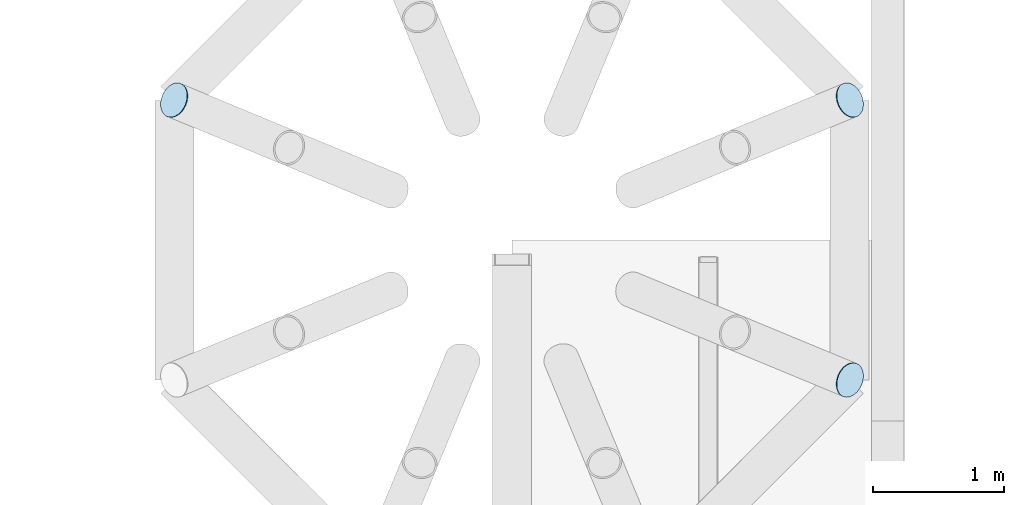
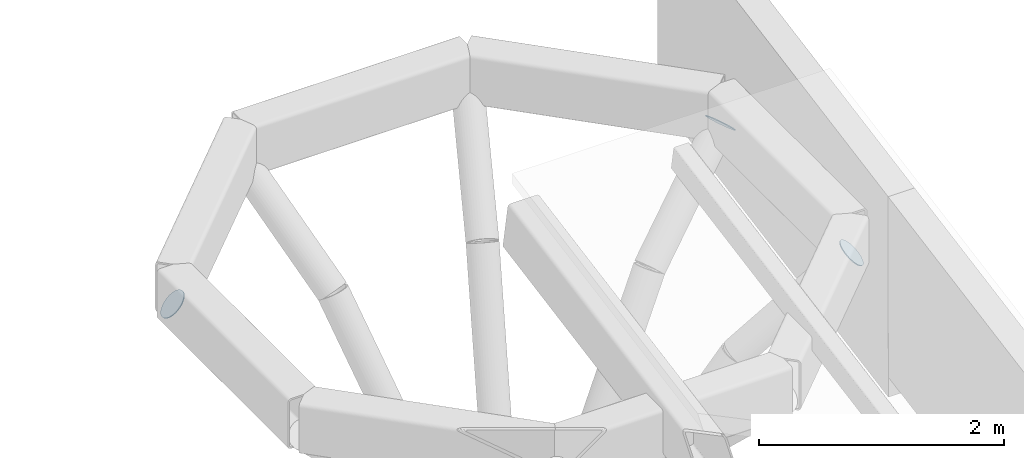
# One storey, part 29 of 42: 3 plates.
"""IFC4 building model written with IfcOpenShell, lengths in metres."""

from ifc_helpers import new_model, si_unit, direction, frame, origin, origin_2d, place, context, subcontext, project, spatial, circle, extrude, material, material_profile, profile_set, type_object, element, save


model = new_model("IFC4")

# Units and contexts
model_context = context("Model", 3, precision=1e-05, world=origin(), true_north=direction((0.0, 1.0)))
body_context = subcontext(model_context, "Body", "Model", "MODEL_VIEW")
ifc_project = project(units=[si_unit("LENGTHUNIT", "METRE"), si_unit("AREAUNIT", "SQUARE_METRE"), si_unit("VOLUMEUNIT", "CUBIC_METRE"), si_unit("PLANEANGLEUNIT", "RADIAN"), si_unit("MASSUNIT", "GRAM", prefix="KILO")], contexts=[model_context])

# Site, building, storey
site_placement = place(None, origin())
site = spatial("IfcSite", under=ifc_project, at=site_placement, CompositionType="ELEMENT")
building_placement = place(site_placement, origin())
building = spatial("IfcBuilding", under=site, at=building_placement, Name="Magnolia Steps Interchange", CompositionType="ELEMENT")
storey_placement = place(building_placement, frame((0.0, 0.0, 12.60009765625)))
storey = spatial("IfcBuildingStorey", under=building, at=storey_placement, Name="L03", CompositionType="ELEMENT", Elevation=12.60009765625)

# Plates
ifc_material = material(Name="Steel Q355B", Category="steel")
ifc_material_profile = material_profile(ifc_material, circle(Radius=0.136474609375, at=origin_2d()), Name="End plate CHS273x14")
ifc_profile_set = profile_set([ifc_material_profile], Name="Steel Q355B")
plate_type = type_object("IfcPlateType", Name="End plate CHS273x14", PredefinedType="SHEET", material=ifc_profile_set)
for number, where, z_axis, x_axis, name in (
    (1, (120.580078125, 75.86865234375, 3.325439453125), (0.664583318381, 0.275279424158, 0.694658370398), (-0.382683432789, 0.923879532336, 0.0), "End plate Tree rib"),
    (2, (115.419921875, 75.86865234375, 3.325439453125), (-0.664583318381, 0.275279424158, 0.694658370398), (-0.382683432789, -0.923879532336, 0.0), "End plate Tree rib"),
    (3, (120.580078125, 73.731201171875, 3.325439453125), (0.664583318381, -0.275279424158, 0.694658370398), (0.382683432789, 0.923879532336, 0.0), "End plate Tree rib"),
):
    element("IfcPlate", number, at=place(storey_placement, frame(where, z_axis=z_axis, x_axis=x_axis)), inside=storey, type_object=plate_type, Name=name, PredefinedType="SHEET", context=body_context, shape_type="SweptSolid", body=[
        extrude(circle(Radius=0.136474609375, at=origin_2d()), origin(), (0.0, 0.0, 1.0), 0.008056640625),
    ])

save(model, "model.ifc")
